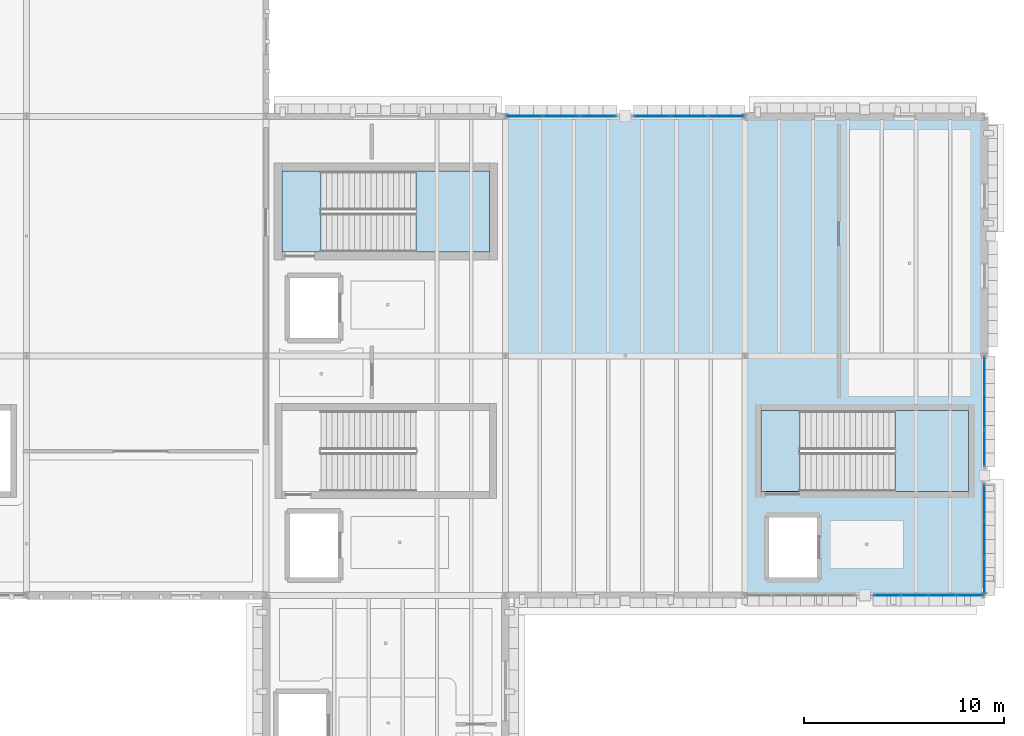
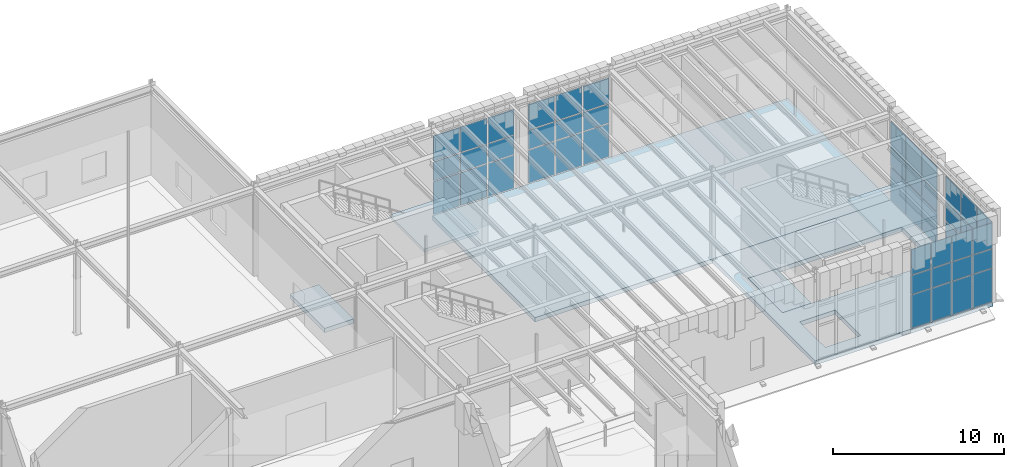
# One storey, part 36 of 62: 48 plates, 6 slabs, 7 elements without a shape of their own.
"""IFC4 building model written with IfcOpenShell, lengths in metres."""

from ifc_helpers import new_model, si_unit, direction, frame, origin, origin_2d, place, context, subcontext, project, spatial, polyline, rectangle, outline, extrude, material, layer, layer_set, type_object, element, aggregate, save


model = new_model("IFC4")

# Units and contexts
model_context = context("Model", 3, precision=1e-05, world=origin(), true_north=direction((0.0, 1.0)))
body_context = subcontext(model_context, "Body", "Model", "MODEL_VIEW")
ifc_project = project(units=[si_unit("LENGTHUNIT", "METRE"), si_unit("AREAUNIT", "SQUARE_METRE"), si_unit("VOLUMEUNIT", "CUBIC_METRE"), si_unit("PLANEANGLEUNIT", "RADIAN"), si_unit("MASSUNIT", "GRAM", prefix="KILO")], contexts=[model_context])

# Site, building, storey
site_placement = place(None, origin())
site = spatial("IfcSite", under=ifc_project, at=site_placement, CompositionType="ELEMENT")
building_placement = place(site_placement, origin())
building = spatial("IfcBuilding", under=site, at=building_placement, Name="Zlatogorsky Bluff Art Gallery", CompositionType="ELEMENT")
storey_placement = place(building_placement, frame((0.0, 0.0, 16.800048828125)))
storey = spatial("IfcBuildingStorey", under=building, at=storey_placement, Name="L03", CompositionType="ELEMENT", Elevation=16.800048828125)

# Curtain wall, plates
ifc_material_1 = material(Name="Anodised Bronze Aluminium and Low-Iron Triple Glazing", Category="aluminium")
ifc_layer_1 = layer(ifc_material_1, 0.219970703125)
ifc_layer_set_1 = layer_set([ifc_layer_1], Name="Curtain Wall CW-04")
curtain_wall_type_1 = type_object("IfcCurtainWallType", Name="Curtain Wall CW-04", PredefinedType="USERDEFINED", material=ifc_layer_set_1)
curtain_wall_1_placement = place(storey_placement, origin())
curtain_wall_1 = element("IfcCurtainWall", 1, at=curtain_wall_1_placement, inside=storey, type_object=curtain_wall_type_1, Name="Unitised curtain wall CW-04 L03 N 11.9-A", ObjectType="CURTAIN WALL", PredefinedType="USERDEFINED")
ifc_material_2 = material(Name="Low-Iron Laminated Triple Glazing", Category="glass")
ifc_layer_2 = layer(ifc_material_2, 0.035888671875)
ifc_layer_set_2 = layer_set([ifc_layer_2], Name="Glazed Curtain Panel CWP-01")
plate_type = type_object("IfcPlateType", Name="Glazed Curtain Panel CWP-01", PredefinedType="CURTAIN_PANEL", material=ifc_layer_set_2)
plate_1_placement = place(storey_placement, frame((143.0537109375, 108.0, 0.06494140625), z_axis=(0.0, 0.0, 1.0), x_axis=(-1.0, 0.0, 0.0)))
plate_1 = element("IfcPlate", 2, at=plate_1_placement, type_object=plate_type, Name="CW-04 panel 1.1", PredefinedType="CURTAIN_PANEL", context=body_context, shape_type="SweptSolid", body=[
    extrude(rectangle(XDim=1.762451171875, YDim=0.035888671875, at=origin_2d()), origin(), (0.0, 0.0, 1.0), 2.3525390625),
])
plate_2_placement = place(storey_placement, frame((143.0537109375, 108.0, 2.482421875), z_axis=(0.0, 0.0, 1.0), x_axis=(-1.0, 0.0, 0.0)))
plate_2 = element("IfcPlate", 3, at=plate_2_placement, type_object=plate_type, Name="CW-04 panel 1.2", PredefinedType="CURTAIN_PANEL", context=body_context, shape_type="SweptSolid", body=[
    extrude(rectangle(XDim=1.762451171875, YDim=0.035888671875, at=origin_2d()), origin(), (0.0, 0.0, 1.0), 1.3349609375),
])
plate_3_placement = place(storey_placement, frame((143.0537109375, 108.0, 3.88232421875), z_axis=(0.0, 0.0, 1.0), x_axis=(-1.0, 0.0, 0.0)))
plate_3 = element("IfcPlate", 4, at=plate_3_placement, type_object=plate_type, Name="CW-04 panel 1.3", PredefinedType="CURTAIN_PANEL", context=body_context, shape_type="SweptSolid", body=[
    extrude(rectangle(XDim=1.762451171875, YDim=0.035888671875, at=origin_2d()), origin(), (0.0, 0.0, 1.0), 1.802490234375),
])
plate_4_placement = place(storey_placement, frame((141.2099609375, 108.0, 0.06494140625), z_axis=(0.0, 0.0, 1.0), x_axis=(-1.0, 0.0, 0.0)))
plate_4 = element("IfcPlate", 5, at=plate_4_placement, type_object=plate_type, Name="CW-04 panel 2.1", PredefinedType="CURTAIN_PANEL", context=body_context, shape_type="SweptSolid", body=[
    extrude(rectangle(XDim=1.794921875, YDim=0.035888671875, at=origin_2d()), origin(), (0.0, 0.0, 1.0), 2.3525390625),
])
plate_5_placement = place(storey_placement, frame((141.2099609375, 108.0, 2.482421875), z_axis=(0.0, 0.0, 1.0), x_axis=(-1.0, 0.0, 0.0)))
plate_5 = element("IfcPlate", 6, at=plate_5_placement, type_object=plate_type, Name="CW-04 panel 2.2", PredefinedType="CURTAIN_PANEL", context=body_context, shape_type="SweptSolid", body=[
    extrude(rectangle(XDim=1.794921875, YDim=0.035888671875, at=origin_2d()), origin(), (0.0, 0.0, 1.0), 1.3349609375),
])
plate_6_placement = place(storey_placement, frame((141.2099609375, 108.0, 3.88232421875), z_axis=(0.0, 0.0, 1.0), x_axis=(-1.0, 0.0, 0.0)))
plate_6 = element("IfcPlate", 7, at=plate_6_placement, type_object=plate_type, Name="CW-04 panel 2.3", PredefinedType="CURTAIN_PANEL", context=body_context, shape_type="SweptSolid", body=[
    extrude(rectangle(XDim=1.794921875, YDim=0.035888671875, at=origin_2d()), origin(), (0.0, 0.0, 1.0), 1.802490234375),
])
plate_7_placement = place(storey_placement, frame((139.3662109375, 108.0, 0.06494140625), z_axis=(0.0, 0.0, 1.0), x_axis=(-1.0, 0.0, 0.0)))
plate_7 = element("IfcPlate", 8, at=plate_7_placement, type_object=plate_type, Name="CW-04 panel 3.1", PredefinedType="CURTAIN_PANEL", context=body_context, shape_type="SweptSolid", body=[
    extrude(rectangle(XDim=1.762451171875, YDim=0.035888671875, at=origin_2d()), origin(), (0.0, 0.0, 1.0), 2.3525390625),
])
plate_8_placement = place(storey_placement, frame((139.3662109375, 108.0, 2.482421875), z_axis=(0.0, 0.0, 1.0), x_axis=(-1.0, 0.0, 0.0)))
plate_8 = element("IfcPlate", 9, at=plate_8_placement, type_object=plate_type, Name="CW-04 panel 3.2", PredefinedType="CURTAIN_PANEL", context=body_context, shape_type="SweptSolid", body=[
    extrude(rectangle(XDim=1.762451171875, YDim=0.035888671875, at=origin_2d()), origin(), (0.0, 0.0, 1.0), 1.3349609375),
])
plate_9_placement = place(storey_placement, frame((139.3662109375, 108.0, 3.88232421875), z_axis=(0.0, 0.0, 1.0), x_axis=(-1.0, 0.0, 0.0)))
plate_9 = element("IfcPlate", 10, at=plate_9_placement, type_object=plate_type, Name="CW-04 panel 3.3", PredefinedType="CURTAIN_PANEL", context=body_context, shape_type="SweptSolid", body=[
    extrude(rectangle(XDim=1.762451171875, YDim=0.035888671875, at=origin_2d()), origin(), (0.0, 0.0, 1.0), 1.802490234375),
])
aggregate(curtain_wall_1, [plate_1, plate_2, plate_3, plate_4, plate_5, plate_6, plate_7, plate_8, plate_9])

curtain_wall_2_placement = place(storey_placement, origin())
curtain_wall_2 = element("IfcCurtainWall", 11, at=curtain_wall_2_placement, inside=storey, type_object=curtain_wall_type_1, Name="Unitised curtain wall CW-04 L03 N 11.9-B", ObjectType="CURTAIN WALL", PredefinedType="USERDEFINED")
plate_10_placement = place(storey_placement, frame((136.6337890625, 108.0, 0.06494140625), z_axis=(0.0, 0.0, 1.0), x_axis=(-1.0, 0.0, 0.0)))
plate_10 = element("IfcPlate", 12, at=plate_10_placement, type_object=plate_type, Name="CW-04 panel 1.1", PredefinedType="CURTAIN_PANEL", context=body_context, shape_type="SweptSolid", body=[
    extrude(rectangle(XDim=1.762451171875, YDim=0.035888671875, at=origin_2d()), origin(), (0.0, 0.0, 1.0), 2.3525390625),
])
plate_11_placement = place(storey_placement, frame((136.6337890625, 108.0, 2.482421875), z_axis=(0.0, 0.0, 1.0), x_axis=(-1.0, 0.0, 0.0)))
plate_11 = element("IfcPlate", 13, at=plate_11_placement, type_object=plate_type, Name="CW-04 panel 1.2", PredefinedType="CURTAIN_PANEL", context=body_context, shape_type="SweptSolid", body=[
    extrude(rectangle(XDim=1.762451171875, YDim=0.035888671875, at=origin_2d()), origin(), (0.0, 0.0, 1.0), 1.3349609375),
])
plate_12_placement = place(storey_placement, frame((136.6337890625, 108.0, 3.88232421875), z_axis=(0.0, 0.0, 1.0), x_axis=(-1.0, 0.0, 0.0)))
plate_12 = element("IfcPlate", 14, at=plate_12_placement, type_object=plate_type, Name="CW-04 panel 1.3", PredefinedType="CURTAIN_PANEL", context=body_context, shape_type="SweptSolid", body=[
    extrude(rectangle(XDim=1.762451171875, YDim=0.035888671875, at=origin_2d()), origin(), (0.0, 0.0, 1.0), 1.802490234375),
])
plate_13_placement = place(storey_placement, frame((134.7900390625, 108.0, 0.06494140625), z_axis=(0.0, 0.0, 1.0), x_axis=(-1.0, 0.0, 0.0)))
plate_13 = element("IfcPlate", 15, at=plate_13_placement, type_object=plate_type, Name="CW-04 panel 2.1", PredefinedType="CURTAIN_PANEL", context=body_context, shape_type="SweptSolid", body=[
    extrude(rectangle(XDim=1.794921875, YDim=0.035888671875, at=origin_2d()), origin(), (0.0, 0.0, 1.0), 2.3525390625),
])
plate_14_placement = place(storey_placement, frame((134.7900390625, 108.0, 2.482421875), z_axis=(0.0, 0.0, 1.0), x_axis=(-1.0, 0.0, 0.0)))
plate_14 = element("IfcPlate", 16, at=plate_14_placement, type_object=plate_type, Name="CW-04 panel 2.2", PredefinedType="CURTAIN_PANEL", context=body_context, shape_type="SweptSolid", body=[
    extrude(rectangle(XDim=1.794921875, YDim=0.035888671875, at=origin_2d()), origin(), (0.0, 0.0, 1.0), 1.3349609375),
])
plate_15_placement = place(storey_placement, frame((134.7900390625, 108.0, 3.88232421875), z_axis=(0.0, 0.0, 1.0), x_axis=(-1.0, 0.0, 0.0)))
plate_15 = element("IfcPlate", 17, at=plate_15_placement, type_object=plate_type, Name="CW-04 panel 2.3", PredefinedType="CURTAIN_PANEL", context=body_context, shape_type="SweptSolid", body=[
    extrude(rectangle(XDim=1.794921875, YDim=0.035888671875, at=origin_2d()), origin(), (0.0, 0.0, 1.0), 1.802490234375),
])
plate_16_placement = place(storey_placement, frame((132.9462890625, 108.0, 0.06494140625), z_axis=(0.0, 0.0, 1.0), x_axis=(-1.0, 0.0, 0.0)))
plate_16 = element("IfcPlate", 18, at=plate_16_placement, type_object=plate_type, Name="CW-04 panel 3.1", PredefinedType="CURTAIN_PANEL", context=body_context, shape_type="SweptSolid", body=[
    extrude(rectangle(XDim=1.762451171875, YDim=0.035888671875, at=origin_2d()), origin(), (0.0, 0.0, 1.0), 2.3525390625),
])
plate_17_placement = place(storey_placement, frame((132.9462890625, 108.0, 2.482421875), z_axis=(0.0, 0.0, 1.0), x_axis=(-1.0, 0.0, 0.0)))
plate_17 = element("IfcPlate", 19, at=plate_17_placement, type_object=plate_type, Name="CW-04 panel 3.2", PredefinedType="CURTAIN_PANEL", context=body_context, shape_type="SweptSolid", body=[
    extrude(rectangle(XDim=1.762451171875, YDim=0.035888671875, at=origin_2d()), origin(), (0.0, 0.0, 1.0), 1.3349609375),
])
plate_18_placement = place(storey_placement, frame((132.9462890625, 108.0, 3.88232421875), z_axis=(0.0, 0.0, 1.0), x_axis=(-1.0, 0.0, 0.0)))
plate_18 = element("IfcPlate", 20, at=plate_18_placement, type_object=plate_type, Name="CW-04 panel 3.3", PredefinedType="CURTAIN_PANEL", context=body_context, shape_type="SweptSolid", body=[
    extrude(rectangle(XDim=1.762451171875, YDim=0.035888671875, at=origin_2d()), origin(), (0.0, 0.0, 1.0), 1.802490234375),
])
aggregate(curtain_wall_2, [plate_10, plate_11, plate_12, plate_13, plate_14, plate_15, plate_16, plate_17, plate_18])

ifc_layer_3 = layer(ifc_material_1, 0.199951171875)
ifc_layer_set_3 = layer_set([ifc_layer_3], Name="Curtain Wall CW-02")
curtain_wall_type_2 = type_object("IfcCurtainWallType", Name="Curtain Wall CW-02", PredefinedType="USERDEFINED", material=ifc_layer_set_3)
curtain_wall_3_placement = place(storey_placement, origin())
curtain_wall_3 = element("IfcCurtainWall", 21, at=curtain_wall_3_placement, inside=storey, type_object=curtain_wall_type_2, Name="Unitised curtain wall CW-02 L03 S 12.8-B", ObjectType="CURTAIN WALL", PredefinedType="USERDEFINED")
plate_19_placement = place(storey_placement, frame((151.1337890625, 84.0, 0.06494140625), z_axis=(0.0, 0.0, 1.0), x_axis=(1.0, 0.0, 0.0)))
plate_19 = element("IfcPlate", 22, at=plate_19_placement, type_object=plate_type, Name="CW-02 panel 1.1", PredefinedType="CURTAIN_PANEL", context=body_context, shape_type="SweptSolid", body=[
    extrude(rectangle(XDim=1.297607421875, YDim=0.035888671875, at=origin_2d()), origin(), (0.0, 0.0, 1.0), 2.3525390625),
])
plate_20_placement = place(storey_placement, frame((151.1337890625, 84.0, 2.482421875), z_axis=(0.0, 0.0, 1.0), x_axis=(1.0, 0.0, 0.0)))
plate_20 = element("IfcPlate", 23, at=plate_20_placement, type_object=plate_type, Name="CW-02 panel 1.2", PredefinedType="CURTAIN_PANEL", context=body_context, shape_type="SweptSolid", body=[
    extrude(rectangle(XDim=1.297607421875, YDim=0.035888671875, at=origin_2d()), origin(), (0.0, 0.0, 1.0), 1.3349609375),
])
plate_21_placement = place(storey_placement, frame((151.1337890625, 84.0, 3.88232421875), z_axis=(0.0, 0.0, 1.0), x_axis=(1.0, 0.0, 0.0)))
plate_21 = element("IfcPlate", 24, at=plate_21_placement, type_object=plate_type, Name="CW-02 panel 1.3", PredefinedType="CURTAIN_PANEL", context=body_context, shape_type="SweptSolid", body=[
    extrude(rectangle(XDim=1.297607421875, YDim=0.035888671875, at=origin_2d()), origin(), (0.0, 0.0, 1.0), 1.802490234375),
])
plate_22_placement = place(storey_placement, frame((152.512451171875, 84.0, 0.06494140625), z_axis=(0.0, 0.0, 1.0), x_axis=(1.0, 0.0, 0.0)))
plate_22 = element("IfcPlate", 25, at=plate_22_placement, type_object=plate_type, Name="CW-02 panel 2.1", PredefinedType="CURTAIN_PANEL", context=body_context, shape_type="SweptSolid", body=[
    extrude(rectangle(XDim=1.330078125, YDim=0.035888671875, at=origin_2d()), origin(), (0.0, 0.0, 1.0), 2.3525390625),
])
plate_23_placement = place(storey_placement, frame((152.512451171875, 84.0, 2.482421875), z_axis=(0.0, 0.0, 1.0), x_axis=(1.0, 0.0, 0.0)))
plate_23 = element("IfcPlate", 26, at=plate_23_placement, type_object=plate_type, Name="CW-02 panel 2.2", PredefinedType="CURTAIN_PANEL", context=body_context, shape_type="SweptSolid", body=[
    extrude(rectangle(XDim=1.330078125, YDim=0.035888671875, at=origin_2d()), origin(), (0.0, 0.0, 1.0), 1.3349609375),
])
plate_24_placement = place(storey_placement, frame((152.512451171875, 84.0, 3.88232421875), z_axis=(0.0, 0.0, 1.0), x_axis=(1.0, 0.0, 0.0)))
plate_24 = element("IfcPlate", 27, at=plate_24_placement, type_object=plate_type, Name="CW-02 panel 2.3", PredefinedType="CURTAIN_PANEL", context=body_context, shape_type="SweptSolid", body=[
    extrude(rectangle(XDim=1.330078125, YDim=0.035888671875, at=origin_2d()), origin(), (0.0, 0.0, 1.0), 1.802490234375),
])
plate_25_placement = place(storey_placement, frame((153.907470703125, 84.0, 0.06494140625), z_axis=(0.0, 0.0, 1.0), x_axis=(1.0, 0.0, 0.0)))
plate_25 = element("IfcPlate", 28, at=plate_25_placement, type_object=plate_type, Name="CW-02 panel 3.1", PredefinedType="CURTAIN_PANEL", context=body_context, shape_type="SweptSolid", body=[
    extrude(rectangle(XDim=1.330078125, YDim=0.035888671875, at=origin_2d()), origin(), (0.0, 0.0, 1.0), 2.3525390625),
])
plate_26_placement = place(storey_placement, frame((153.907470703125, 84.0, 2.482421875), z_axis=(0.0, 0.0, 1.0), x_axis=(1.0, 0.0, 0.0)))
plate_26 = element("IfcPlate", 29, at=plate_26_placement, type_object=plate_type, Name="CW-02 panel 3.2", PredefinedType="CURTAIN_PANEL", context=body_context, shape_type="SweptSolid", body=[
    extrude(rectangle(XDim=1.330078125, YDim=0.035888671875, at=origin_2d()), origin(), (0.0, 0.0, 1.0), 1.3349609375),
])
plate_27_placement = place(storey_placement, frame((153.907470703125, 84.0, 3.88232421875), z_axis=(0.0, 0.0, 1.0), x_axis=(1.0, 0.0, 0.0)))
plate_27 = element("IfcPlate", 30, at=plate_27_placement, type_object=plate_type, Name="CW-02 panel 3.3", PredefinedType="CURTAIN_PANEL", context=body_context, shape_type="SweptSolid", body=[
    extrude(rectangle(XDim=1.330078125, YDim=0.035888671875, at=origin_2d()), origin(), (0.0, 0.0, 1.0), 1.802490234375),
])
plate_28_placement = place(storey_placement, frame((155.2861328125, 84.0, 0.06494140625), z_axis=(0.0, 0.0, 1.0), x_axis=(1.0, 0.0, 0.0)))
plate_28 = element("IfcPlate", 31, at=plate_28_placement, type_object=plate_type, Name="CW-02 panel 4.1", PredefinedType="CURTAIN_PANEL", context=body_context, shape_type="SweptSolid", body=[
    extrude(rectangle(XDim=1.297607421875, YDim=0.035888671875, at=origin_2d()), origin(), (0.0, 0.0, 1.0), 2.3525390625),
])
plate_29_placement = place(storey_placement, frame((155.2861328125, 84.0, 2.482421875), z_axis=(0.0, 0.0, 1.0), x_axis=(1.0, 0.0, 0.0)))
plate_29 = element("IfcPlate", 32, at=plate_29_placement, type_object=plate_type, Name="CW-02 panel 4.2", PredefinedType="CURTAIN_PANEL", context=body_context, shape_type="SweptSolid", body=[
    extrude(rectangle(XDim=1.297607421875, YDim=0.035888671875, at=origin_2d()), origin(), (0.0, 0.0, 1.0), 1.3349609375),
])
plate_30_placement = place(storey_placement, frame((155.2861328125, 84.0, 3.88232421875), z_axis=(0.0, 0.0, 1.0), x_axis=(1.0, 0.0, 0.0)))
plate_30 = element("IfcPlate", 33, at=plate_30_placement, type_object=plate_type, Name="CW-02 panel 4.3", PredefinedType="CURTAIN_PANEL", context=body_context, shape_type="SweptSolid", body=[
    extrude(rectangle(XDim=1.297607421875, YDim=0.035888671875, at=origin_2d()), origin(), (0.0, 0.0, 1.0), 1.802490234375),
])
aggregate(curtain_wall_3, [plate_19, plate_20, plate_21, plate_22, plate_23, plate_24, plate_25, plate_26, plate_27, plate_28, plate_29, plate_30])

curtain_wall_4_placement = place(storey_placement, origin())
curtain_wall_4 = element("IfcCurtainWall", 34, at=curtain_wall_4_placement, inside=storey, type_object=curtain_wall_type_1, Name="Unitised curtain wall CW-04 L03 E 12.8-A", ObjectType="CURTAIN WALL", PredefinedType="USERDEFINED")
plate_31_placement = place(storey_placement, frame((156.0, 84.9462890625, 0.06494140625), z_axis=(0.0, 0.0, 1.0), x_axis=(0.0, 1.0, 0.0)))
plate_31 = element("IfcPlate", 35, at=plate_31_placement, type_object=plate_type, Name="CW-04 panel 1.1", PredefinedType="CURTAIN_PANEL", context=body_context, shape_type="SweptSolid", body=[
    extrude(rectangle(XDim=1.762451171875, YDim=0.035888671875, at=origin_2d()), origin(), (0.0, 0.0, 1.0), 2.3525390625),
])
plate_32_placement = place(storey_placement, frame((156.0, 84.9462890625, 2.482421875), z_axis=(0.0, 0.0, 1.0), x_axis=(0.0, 1.0, 0.0)))
plate_32 = element("IfcPlate", 36, at=plate_32_placement, type_object=plate_type, Name="CW-04 panel 1.2", PredefinedType="CURTAIN_PANEL", context=body_context, shape_type="SweptSolid", body=[
    extrude(rectangle(XDim=1.762451171875, YDim=0.035888671875, at=origin_2d()), origin(), (0.0, 0.0, 1.0), 1.3349609375),
])
plate_33_placement = place(storey_placement, frame((156.0, 84.9462890625, 3.88232421875), z_axis=(0.0, 0.0, 1.0), x_axis=(0.0, 1.0, 0.0)))
plate_33 = element("IfcPlate", 37, at=plate_33_placement, type_object=plate_type, Name="CW-04 panel 1.3", PredefinedType="CURTAIN_PANEL", context=body_context, shape_type="SweptSolid", body=[
    extrude(rectangle(XDim=1.762451171875, YDim=0.035888671875, at=origin_2d()), origin(), (0.0, 0.0, 1.0), 1.802490234375),
])
plate_34_placement = place(storey_placement, frame((156.0, 86.7900390625, 0.06494140625), z_axis=(0.0, 0.0, 1.0), x_axis=(0.0, 1.0, 0.0)))
plate_34 = element("IfcPlate", 38, at=plate_34_placement, type_object=plate_type, Name="CW-04 panel 2.1", PredefinedType="CURTAIN_PANEL", context=body_context, shape_type="SweptSolid", body=[
    extrude(rectangle(XDim=1.794921875, YDim=0.035888671875, at=origin_2d()), origin(), (0.0, 0.0, 1.0), 2.3525390625),
])
plate_35_placement = place(storey_placement, frame((156.0, 86.7900390625, 2.482421875), z_axis=(0.0, 0.0, 1.0), x_axis=(0.0, 1.0, 0.0)))
plate_35 = element("IfcPlate", 39, at=plate_35_placement, type_object=plate_type, Name="CW-04 panel 2.2", PredefinedType="CURTAIN_PANEL", context=body_context, shape_type="SweptSolid", body=[
    extrude(rectangle(XDim=1.794921875, YDim=0.035888671875, at=origin_2d()), origin(), (0.0, 0.0, 1.0), 1.3349609375),
])
plate_36_placement = place(storey_placement, frame((156.0, 86.7900390625, 3.88232421875), z_axis=(0.0, 0.0, 1.0), x_axis=(0.0, 1.0, 0.0)))
plate_36 = element("IfcPlate", 40, at=plate_36_placement, type_object=plate_type, Name="CW-04 panel 2.3", PredefinedType="CURTAIN_PANEL", context=body_context, shape_type="SweptSolid", body=[
    extrude(rectangle(XDim=1.794921875, YDim=0.035888671875, at=origin_2d()), origin(), (0.0, 0.0, 1.0), 1.802490234375),
])
plate_37_placement = place(storey_placement, frame((156.0, 88.6337890625, 0.06494140625), z_axis=(0.0, 0.0, 1.0), x_axis=(0.0, 1.0, 0.0)))
plate_37 = element("IfcPlate", 41, at=plate_37_placement, type_object=plate_type, Name="CW-04 panel 3.1", PredefinedType="CURTAIN_PANEL", context=body_context, shape_type="SweptSolid", body=[
    extrude(rectangle(XDim=1.762451171875, YDim=0.035888671875, at=origin_2d()), origin(), (0.0, 0.0, 1.0), 2.3525390625),
])
plate_38_placement = place(storey_placement, frame((156.0, 88.6337890625, 2.482421875), z_axis=(0.0, 0.0, 1.0), x_axis=(0.0, 1.0, 0.0)))
plate_38 = element("IfcPlate", 42, at=plate_38_placement, type_object=plate_type, Name="CW-04 panel 3.2", PredefinedType="CURTAIN_PANEL", context=body_context, shape_type="SweptSolid", body=[
    extrude(rectangle(XDim=1.762451171875, YDim=0.035888671875, at=origin_2d()), origin(), (0.0, 0.0, 1.0), 1.3349609375),
])
plate_39_placement = place(storey_placement, frame((156.0, 88.6337890625, 3.88232421875), z_axis=(0.0, 0.0, 1.0), x_axis=(0.0, 1.0, 0.0)))
plate_39 = element("IfcPlate", 43, at=plate_39_placement, type_object=plate_type, Name="CW-04 panel 3.3", PredefinedType="CURTAIN_PANEL", context=body_context, shape_type="SweptSolid", body=[
    extrude(rectangle(XDim=1.762451171875, YDim=0.035888671875, at=origin_2d()), origin(), (0.0, 0.0, 1.0), 1.802490234375),
])
aggregate(curtain_wall_4, [plate_31, plate_32, plate_33, plate_34, plate_35, plate_36, plate_37, plate_38, plate_39])

curtain_wall_5_placement = place(storey_placement, origin())
curtain_wall_5 = element("IfcCurtainWall", 44, at=curtain_wall_5_placement, inside=storey, type_object=curtain_wall_type_1, Name="Unitised curtain wall CW-04 L03 E 12.8-B", ObjectType="CURTAIN WALL", PredefinedType="USERDEFINED")
plate_40_placement = place(storey_placement, frame((156.0, 91.3662109375, 0.06494140625), z_axis=(0.0, 0.0, 1.0), x_axis=(0.0, 1.0, 0.0)))
plate_40 = element("IfcPlate", 45, at=plate_40_placement, type_object=plate_type, Name="CW-04 panel 1.1", PredefinedType="CURTAIN_PANEL", context=body_context, shape_type="SweptSolid", body=[
    extrude(rectangle(XDim=1.762451171875, YDim=0.035888671875, at=origin_2d()), origin(), (0.0, 0.0, 1.0), 2.3525390625),
])
plate_41_placement = place(storey_placement, frame((156.0, 91.3662109375, 2.482421875), z_axis=(0.0, 0.0, 1.0), x_axis=(0.0, 1.0, 0.0)))
plate_41 = element("IfcPlate", 46, at=plate_41_placement, type_object=plate_type, Name="CW-04 panel 1.2", PredefinedType="CURTAIN_PANEL", context=body_context, shape_type="SweptSolid", body=[
    extrude(rectangle(XDim=1.762451171875, YDim=0.035888671875, at=origin_2d()), origin(), (0.0, 0.0, 1.0), 1.3349609375),
])
plate_42_placement = place(storey_placement, frame((156.0, 91.3662109375, 3.88232421875), z_axis=(0.0, 0.0, 1.0), x_axis=(0.0, 1.0, 0.0)))
plate_42 = element("IfcPlate", 47, at=plate_42_placement, type_object=plate_type, Name="CW-04 panel 1.3", PredefinedType="CURTAIN_PANEL", context=body_context, shape_type="SweptSolid", body=[
    extrude(rectangle(XDim=1.762451171875, YDim=0.035888671875, at=origin_2d()), origin(), (0.0, 0.0, 1.0), 1.802490234375),
])
plate_43_placement = place(storey_placement, frame((156.0, 93.2099609375, 0.06494140625), z_axis=(0.0, 0.0, 1.0), x_axis=(0.0, 1.0, 0.0)))
plate_43 = element("IfcPlate", 48, at=plate_43_placement, type_object=plate_type, Name="CW-04 panel 2.1", PredefinedType="CURTAIN_PANEL", context=body_context, shape_type="SweptSolid", body=[
    extrude(rectangle(XDim=1.794921875, YDim=0.035888671875, at=origin_2d()), origin(), (0.0, 0.0, 1.0), 2.3525390625),
])
plate_44_placement = place(storey_placement, frame((156.0, 93.2099609375, 2.482421875), z_axis=(0.0, 0.0, 1.0), x_axis=(0.0, 1.0, 0.0)))
plate_44 = element("IfcPlate", 49, at=plate_44_placement, type_object=plate_type, Name="CW-04 panel 2.2", PredefinedType="CURTAIN_PANEL", context=body_context, shape_type="SweptSolid", body=[
    extrude(rectangle(XDim=1.794921875, YDim=0.035888671875, at=origin_2d()), origin(), (0.0, 0.0, 1.0), 1.3349609375),
])
plate_45_placement = place(storey_placement, frame((156.0, 93.2099609375, 3.88232421875), z_axis=(0.0, 0.0, 1.0), x_axis=(0.0, 1.0, 0.0)))
plate_45 = element("IfcPlate", 50, at=plate_45_placement, type_object=plate_type, Name="CW-04 panel 2.3", PredefinedType="CURTAIN_PANEL", context=body_context, shape_type="SweptSolid", body=[
    extrude(rectangle(XDim=1.794921875, YDim=0.035888671875, at=origin_2d()), origin(), (0.0, 0.0, 1.0), 1.802490234375),
])
plate_46_placement = place(storey_placement, frame((156.0, 95.0537109375, 0.06494140625), z_axis=(0.0, 0.0, 1.0), x_axis=(0.0, 1.0, 0.0)))
plate_46 = element("IfcPlate", 51, at=plate_46_placement, type_object=plate_type, Name="CW-04 panel 3.1", PredefinedType="CURTAIN_PANEL", context=body_context, shape_type="SweptSolid", body=[
    extrude(rectangle(XDim=1.762451171875, YDim=0.035888671875, at=origin_2d()), origin(), (0.0, 0.0, 1.0), 2.3525390625),
])
plate_47_placement = place(storey_placement, frame((156.0, 95.0537109375, 2.482421875), z_axis=(0.0, 0.0, 1.0), x_axis=(0.0, 1.0, 0.0)))
plate_47 = element("IfcPlate", 52, at=plate_47_placement, type_object=plate_type, Name="CW-04 panel 3.2", PredefinedType="CURTAIN_PANEL", context=body_context, shape_type="SweptSolid", body=[
    extrude(rectangle(XDim=1.762451171875, YDim=0.035888671875, at=origin_2d()), origin(), (0.0, 0.0, 1.0), 1.3349609375),
])
plate_48_placement = place(storey_placement, frame((156.0, 95.0537109375, 3.88232421875), z_axis=(0.0, 0.0, 1.0), x_axis=(0.0, 1.0, 0.0)))
plate_48 = element("IfcPlate", 53, at=plate_48_placement, type_object=plate_type, Name="CW-04 panel 3.3", PredefinedType="CURTAIN_PANEL", context=body_context, shape_type="SweptSolid", body=[
    extrude(rectangle(XDim=1.762451171875, YDim=0.035888671875, at=origin_2d()), origin(), (0.0, 0.0, 1.0), 1.802490234375),
])
aggregate(curtain_wall_5, [plate_40, plate_41, plate_42, plate_43, plate_44, plate_45, plate_46, plate_47, plate_48])

# Slabs
ifc_material_3 = material(Name="Concrete C30/37", Category="concrete")
ifc_layer_4 = layer(ifc_material_3, 0.31005859375)
ifc_layer_set_4 = layer_set([ifc_layer_4], Name="Slab SL-03 310mm")
slab_type_1 = type_object("IfcSlabType", Name="Slab SL-03 310mm", PredefinedType="FLOOR", material=ifc_layer_set_4)
slab_1_placement = place(storey_placement, frame((0.0, 0.0, -0.31005859375)))
element("IfcSlab", 54, at=slab_1_placement, inside=storey, type_object=slab_type_1, Name="L03 structural floor slab panel 13", PredefinedType="FLOOR", context=body_context, shape_type="SweptSolid", body=[
    extrude(outline(polyline([(132.0, 108.0), (144.0, 108.0), (156.0, 108.0), (156.0, 96.0), (144.0, 96.0), (132.0, 96.0), (132.0, 108.0)])), origin(), (0.0, 0.0, 1.0), 0.31005859375),
])
slab_2_placement = place(storey_placement, frame((0.0, 0.0, -0.31005859375)))
element("IfcSlab", 55, at=slab_2_placement, inside=storey, type_object=slab_type_1, Name="L03 structural floor slab panel 14", PredefinedType="FLOOR", context=body_context, shape_type="SweptSolid", body=[
    extrude(outline(polyline([(144.0, 84.0), (144.0, 96.0), (156.0, 96.0), (156.0, 84.0), (144.0, 84.0)]), holes=[polyline([(147.60009765625, 87.89990234375), (145.199951171875, 87.89990234375), (145.199951171875, 84.89990234375), (147.60009765625, 84.89990234375), (147.60009765625, 87.89990234375)]), polyline([(155.199951171875, 89.199951171875), (155.199951171875, 93.25), (144.800048828125, 93.25), (144.800048828125, 89.199951171875), (155.199951171875, 89.199951171875)])]), origin(), (0.0, 0.0, 1.0), 0.31005859375),
])
slab_3_placement = place(storey_placement, frame((0.0, 0.0, -0.31005859375)))
element("IfcSlab", 56, at=slab_3_placement, inside=storey, type_object=slab_type_1, Name="L03 stair ST-03 structural floor landing slab", PredefinedType="FLOOR", context=body_context, shape_type="SweptSolid", body=[
    extrude(outline(polyline([(120.800048828125, 101.199951171875), (122.75, 101.199951171875), (122.75, 105.25), (120.800048828125, 105.25), (120.800048828125, 101.199951171875)])), origin(), (0.0, 0.0, 1.0), 0.31005859375),
])
slab_4_placement = place(storey_placement, frame((0.0, 0.0, -0.31005859375)))
element("IfcSlab", 57, at=slab_4_placement, inside=storey, type_object=slab_type_1, Name="L03 stair ST-04 structural floor landing slab", PredefinedType="FLOOR", context=body_context, shape_type="SweptSolid", body=[
    extrude(outline(polyline([(144.800048828125, 89.199951171875), (146.75, 89.199951171875), (146.75, 93.25), (144.800048828125, 93.25), (144.800048828125, 89.199951171875)])), origin(), (0.0, 0.0, 1.0), 0.31005859375),
])

# Stair, slab
stair_type = type_object("IfcStairType", Name="Protected Dogleg Stair ST-T8", PredefinedType="HALF_TURN_STAIR", material=ifc_material_3)
stair_1_placement = place(storey_placement, origin())
stair_1 = element("IfcStair", 58, at=stair_1_placement, inside=storey, type_object=stair_type, Name="L03 Protected Exit Stair ST-03", PredefinedType="HALF_TURN_STAIR")
ifc_layer_5 = layer(ifc_material_3, 0.199951171875)
ifc_layer_set_5 = layer_set([ifc_layer_5], Name="Stair Half-Landing 200mm")
slab_type_2 = type_object("IfcSlabType", Name="Stair Half-Landing 200mm", PredefinedType="LANDING", material=ifc_layer_set_5)
slab_5_placement = place(storey_placement, frame((0.0, 0.0, 3.099853515625)))
slab_5 = element("IfcSlab", 59, at=slab_5_placement, type_object=slab_type_2, Name="ST-03 landing 1", PredefinedType="LANDING", context=body_context, shape_type="SweptSolid", body=[
    extrude(outline(polyline([(127.510009765625, 101.199951171875), (131.199951171875, 101.199951171875), (131.199951171875, 105.25), (127.510009765625, 105.25), (127.510009765625, 101.199951171875)])), origin(), (0.0, 0.0, 1.0), 0.2001953125),
])
aggregate(stair_1, [slab_5])

stair_2_placement = place(storey_placement, origin())
stair_2 = element("IfcStair", 60, at=stair_2_placement, inside=storey, type_object=stair_type, Name="L03 Protected Exit Stair ST-04", PredefinedType="HALF_TURN_STAIR")
slab_6_placement = place(storey_placement, frame((0.0, 0.0, 3.099853515625)))
slab_6 = element("IfcSlab", 61, at=slab_6_placement, type_object=slab_type_2, Name="ST-04 landing 1", PredefinedType="LANDING", context=body_context, shape_type="SweptSolid", body=[
    extrude(outline(polyline([(151.510009765625, 89.199951171875), (155.199951171875, 89.199951171875), (155.199951171875, 93.25), (151.510009765625, 93.25), (151.510009765625, 89.199951171875)])), origin(), (0.0, 0.0, 1.0), 0.2001953125),
])
aggregate(stair_2, [slab_6])

save(model, "model.ifc")
